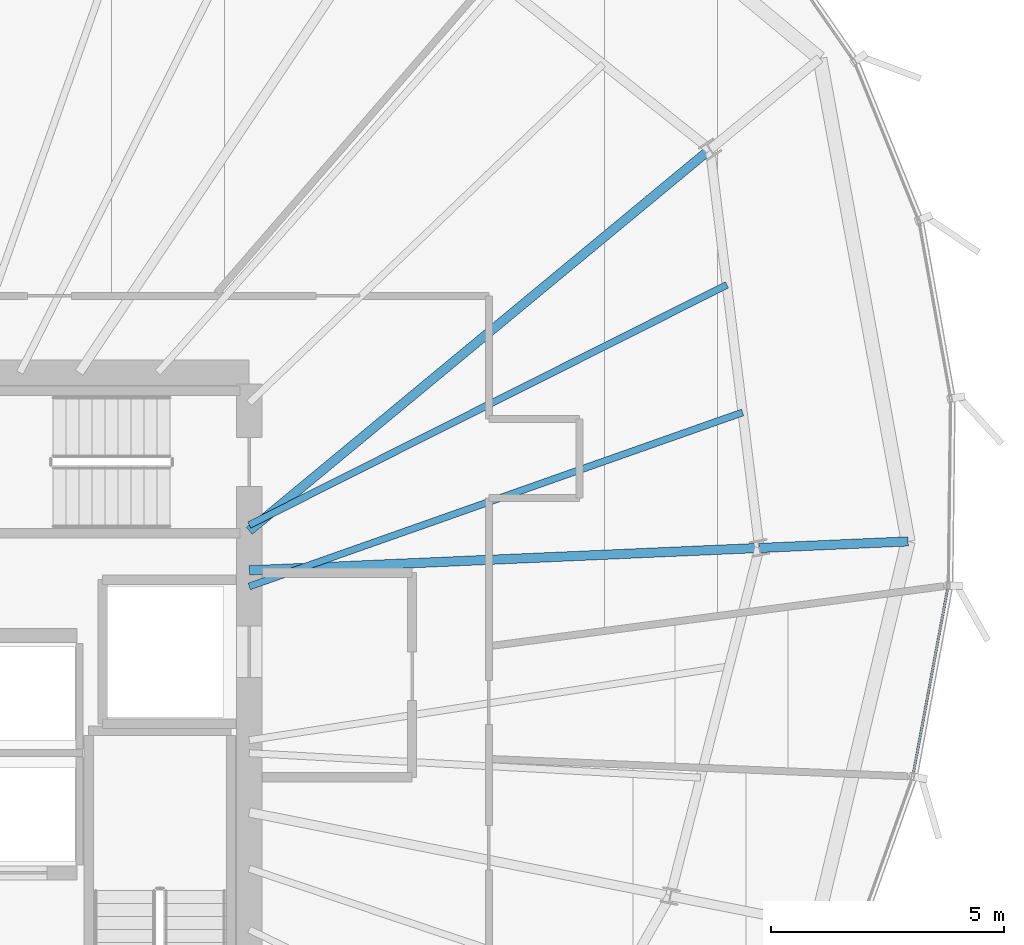
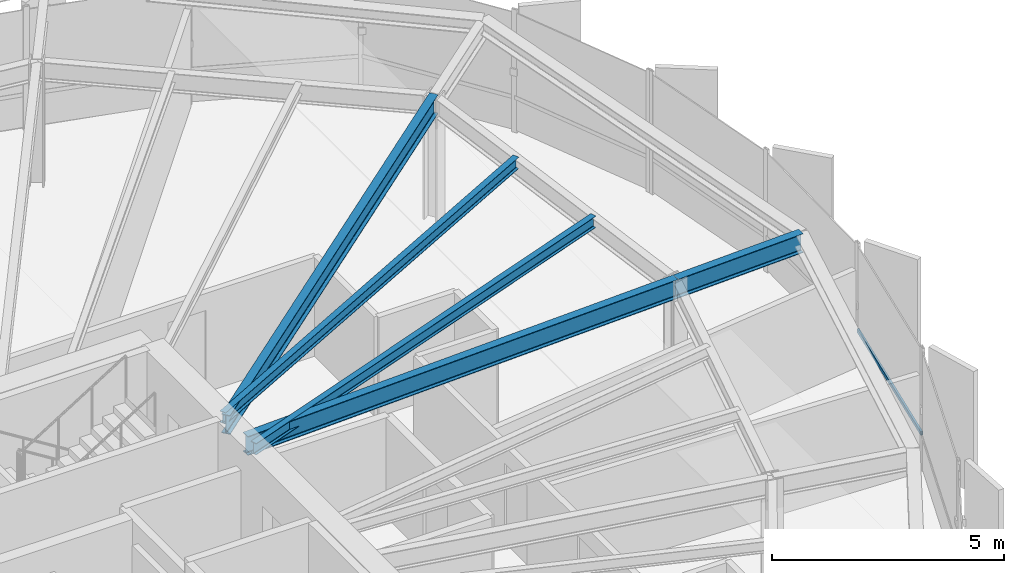
# One storey, part 19 of 37: 5 beams, 1 member, 1 element without a shape of its own.
"""IFC4 building model written with IfcOpenShell, lengths in metres."""

from ifc_helpers import new_model, si_unit, direction, frame, origin, origin_2d, place, context, subcontext, project, spatial, hollow_rectangle, i_section, extrude, source, transform, mapped, material, layer, layer_set, material_profile, profile_set, type_object, element, aggregate, save


model = new_model("IFC4")

# Units and contexts
model_context = context("Model", 3, precision=1e-05, world=origin(), true_north=direction((0.0, 1.0)))
body_context = subcontext(model_context, "Body", "Model", "MODEL_VIEW")
ifc_project = project(units=[si_unit("LENGTHUNIT", "METRE"), si_unit("AREAUNIT", "SQUARE_METRE"), si_unit("VOLUMEUNIT", "CUBIC_METRE"), si_unit("PLANEANGLEUNIT", "RADIAN"), si_unit("MASSUNIT", "GRAM", prefix="KILO"), si_unit("THERMODYNAMICTEMPERATUREUNIT", "KELVIN")], contexts=[model_context])

# Site, building, storey
site_placement = place(None, origin())
site = spatial("IfcSite", under=ifc_project, at=site_placement, CompositionType="ELEMENT")
building_placement = place(site_placement, origin())
building = spatial("IfcBuilding", under=site, at=building_placement, Name="Kethvar Cultural Tower", CompositionType="ELEMENT")
storey_placement = place(building_placement, frame((0.0, 0.0, 200.89990234375)))
storey = spatial("IfcBuildingStorey", under=building, at=storey_placement, Name="L52", CompositionType="ELEMENT", Elevation=200.89990234375)

# Beams
ifc_material_1 = material(Name="Steel S355J2", Category="steel")
ifc_material_profile_1 = material_profile(ifc_material_1, i_section(OverallWidth=0.199951171875, OverallDepth=0.5, WebThickness=0.01025390625, FlangeThickness=0.01611328125, FilletRadius=0.02099609375, at=origin_2d()), Name="Steel S355J2 — IPE500")
ifc_profile_set_1 = profile_set([ifc_material_profile_1], Name="Steel S355J2 — IPE500")
beam_type_1 = type_object("IfcBeamType", Name="BM-IPE500", PredefinedType="BEAM", material=ifc_profile_set_1)
shared_shape_1 = source(origin(), body_context, "Body", "SweptSolid", [
    extrude(i_section(OverallWidth=0.199951171875, OverallDepth=0.5, WebThickness=0.01025390625, FlangeThickness=0.01611328125, FilletRadius=0.02099609375, at=origin_2d()), origin(), (0.0, 0.0, 1.0), 10.974365234375),
])
beam_1_placement = place(storey_placement, frame((55.60009765625, 31.25, 3.008056640625), z_axis=(0.999038235064, 0.043847518511, 0.0), x_axis=(-0.043847518511, 0.999038235064, 0.0)))
element("IfcBeam", 1, at=beam_1_placement, inside=storey, type_object=beam_type_1, Name="L52 Primary Radial Beam RB-01", PredefinedType="BEAM", context=body_context, shape_type="MappedRepresentation", body=[
    mapped(shared_shape_1, transform((0.0, 0.0, 0.0), scale=1.0)),
])
shared_shape_2 = source(origin(), body_context, "Body", "SweptSolid", [
    extrude(i_section(OverallWidth=0.199951171875, OverallDepth=0.5, WebThickness=0.01025390625, FlangeThickness=0.01611328125, FilletRadius=0.02099609375, at=origin_2d()), origin(), (0.0, 0.0, 1.0), 3.2001953125),
])
beam_2_placement = place(storey_placement, frame((66.56396484375, 31.731201171875, 3.008056640625), z_axis=(0.999037352633, 0.043867619531, 0.0), x_axis=(-0.043867619531, 0.999037352633, 0.0)))
element("IfcBeam", 2, at=beam_2_placement, inside=storey, type_object=beam_type_1, Name="L52 Perimeter Cantilever Beam RC-01", PredefinedType="BEAM", context=body_context, shape_type="MappedRepresentation", body=[
    mapped(shared_shape_2, transform((0.0, 0.0, 0.0), scale=1.0)),
])
shared_shape_3 = source(origin(), body_context, "Body", "SweptSolid", [
    extrude(i_section(OverallWidth=0.199951171875, OverallDepth=0.5, WebThickness=0.01025390625, FlangeThickness=0.01611328125, FilletRadius=0.02099609375, at=origin_2d()), origin(), (0.0, 0.0, 1.0), 12.8564453125),
])
beam_3_placement = place(storey_placement, frame((55.60009765625, 32.10009765625, 3.008056640625), z_axis=(0.770354115625, 0.637616292561, 0.0), x_axis=(-0.637616292561, 0.770354115625, 0.0)))
element("IfcBeam", 3, at=beam_3_placement, inside=storey, type_object=beam_type_1, Name="L52 Primary Radial Beam RB-02", PredefinedType="BEAM", context=body_context, shape_type="MappedRepresentation", body=[
    mapped(shared_shape_3, transform((0.0, 0.0, 0.0), scale=1.0)),
])
ifc_material_profile_2 = material_profile(ifc_material_1, i_section(OverallWidth=0.14990234375, OverallDepth=0.300048828125, WebThickness=0.007080078125, FlangeThickness=0.0107421875, FilletRadius=0.014892578125, at=origin_2d()), Name="Steel S355J2 — IPE300")
ifc_profile_set_2 = profile_set([ifc_material_profile_2], Name="Steel S355J2 — IPE300")
beam_type_2 = type_object("IfcBeamType", Name="BM-J300", PredefinedType="JOIST", material=ifc_profile_set_2)
shared_shape_4 = source(origin(), body_context, "Body", "SweptSolid", [
    extrude(i_section(OverallWidth=0.14990234375, OverallDepth=0.300048828125, WebThickness=0.007080078125, FlangeThickness=0.0107421875, FilletRadius=0.014892578125, at=origin_2d()), origin(), (0.0, 0.0, 1.0), 11.24365234375),
])
beam_4_placement = place(storey_placement, frame((55.60009765625, 30.90380859375, 3.108154296875), z_axis=(0.943058059975, 0.332628164044, 0.0), x_axis=(-0.332628164044, 0.943058059975, 0.0)))
element("IfcBeam", 4, at=beam_4_placement, inside=storey, type_object=beam_type_2, Name="L52 Composite Floor Joist J-01A", PredefinedType="JOIST", context=body_context, shape_type="MappedRepresentation", body=[
    mapped(shared_shape_4, transform((0.0, 0.0, 0.0), scale=1.0)),
])
shared_shape_5 = source(origin(), body_context, "Body", "SweptSolid", [
    extrude(i_section(OverallWidth=0.14990234375, OverallDepth=0.300048828125, WebThickness=0.007080078125, FlangeThickness=0.0107421875, FilletRadius=0.014892578125, at=origin_2d()), origin(), (0.0, 0.0, 1.0), 11.48876953125),
])
beam_5_placement = place(storey_placement, frame((55.60009765625, 32.224365234375, 3.108154296875), z_axis=(0.893434724969, 0.449193045605, 0.0), x_axis=(-0.449193045605, 0.893434724969, 0.0)))
element("IfcBeam", 5, at=beam_5_placement, inside=storey, type_object=beam_type_2, Name="L52 Composite Floor Joist J-01B", PredefinedType="JOIST", context=body_context, shape_type="MappedRepresentation", body=[
    mapped(shared_shape_5, transform((0.0, 0.0, 0.0), scale=1.0)),
])

# Curtain wall, member
ifc_material_2 = material(Name="Aluminium 6063-T6", Category="aluminium")
ifc_layer = layer(ifc_material_2, 0.179931640625, Name="Aluminium 6063-T6", Category="aluminium")
ifc_layer_set = layer_set([ifc_layer], Name="Aluminium 6063-T6 (180 mm)")
curtain_wall_type = type_object("IfcCurtainWallType", Name="CW-SYS-04-Z34", PredefinedType="NOTDEFINED", material=ifc_layer_set)
curtain_wall_placement = place(storey_placement, origin())
curtain_wall = element("IfcCurtainWall", 6, at=curtain_wall_placement, inside=storey, type_object=curtain_wall_type, Name="L52 Curtain Wall Run 06", PredefinedType="NOTDEFINED")
ifc_material_profile_3 = material_profile(ifc_material_2, hollow_rectangle(XDim=0.050048828125, YDim=0.10009765625, WallThickness=0.00390625, at=origin_2d()), Name="Aluminium 6063-T6 — RHS100x50x4")
ifc_profile_set_3 = profile_set([ifc_material_profile_3], Name="Aluminium 6063-T6 — RHS100x50x4")
member_type = type_object("IfcMemberType", Name="CW-SYS-04-Z34-TRN", PredefinedType="USERDEFINED", material=ifc_profile_set_3)
shared_shape_6 = source(origin(), body_context, "Body", "SweptSolid", [
    extrude(hollow_rectangle(XDim=0.050048828125, YDim=0.10009765625, WallThickness=0.00390625, at=origin_2d()), origin(), (0.0, 0.0, 1.0), 4.106689453125),
])
member_placement = place(storey_placement, frame((69.867919921875, 26.861083984375, 0.9501953125), z_axis=(0.182572490345, 0.983192395093, 0.0), x_axis=(-0.983192395093, 0.182572490345, 0.0)))
member = element("IfcMember", 7, at=member_placement, type_object=member_type, Name="CW-L52-R06 Transom 4", ObjectType="TRANSOM", PredefinedType="USERDEFINED", context=body_context, shape_type="MappedRepresentation", body=[
    mapped(shared_shape_6, transform((0.0, 0.0, 0.0), scale=1.0)),
])
aggregate(curtain_wall, [member])

save(model, "model.ifc")
